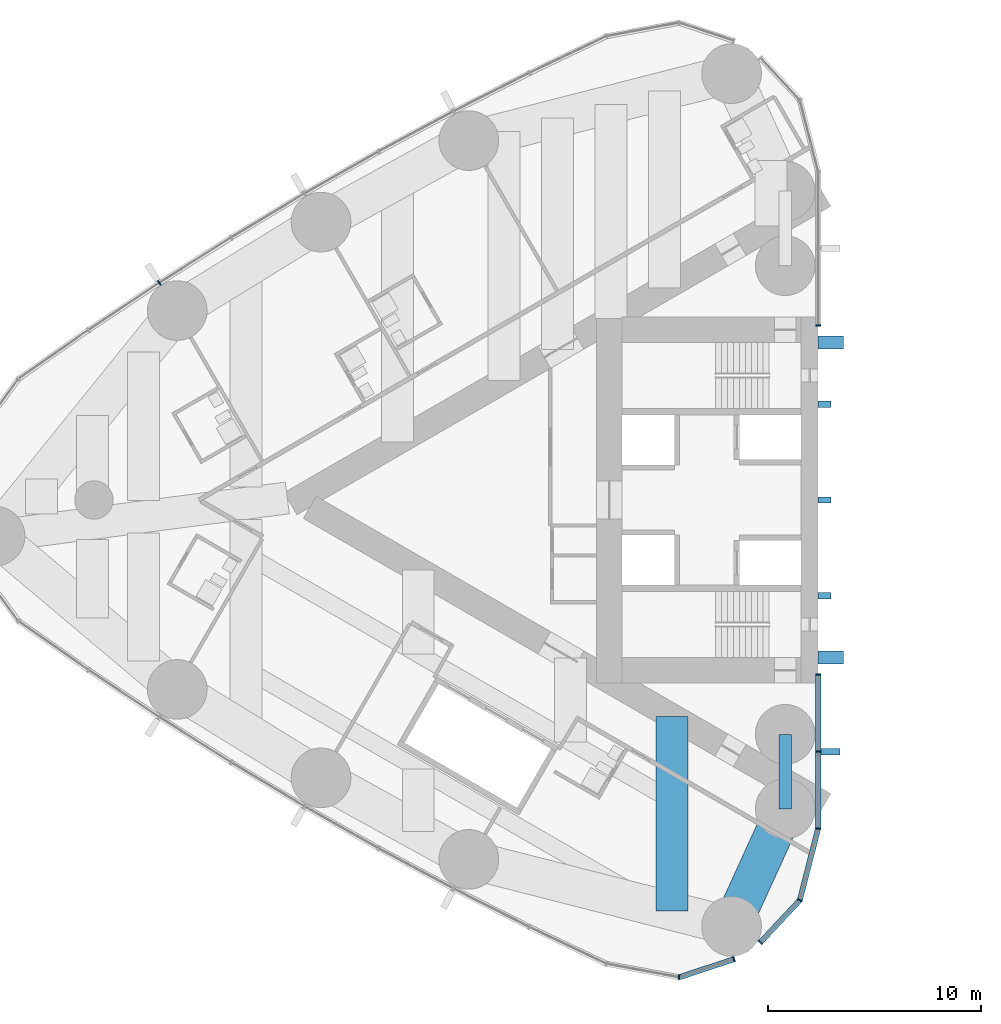
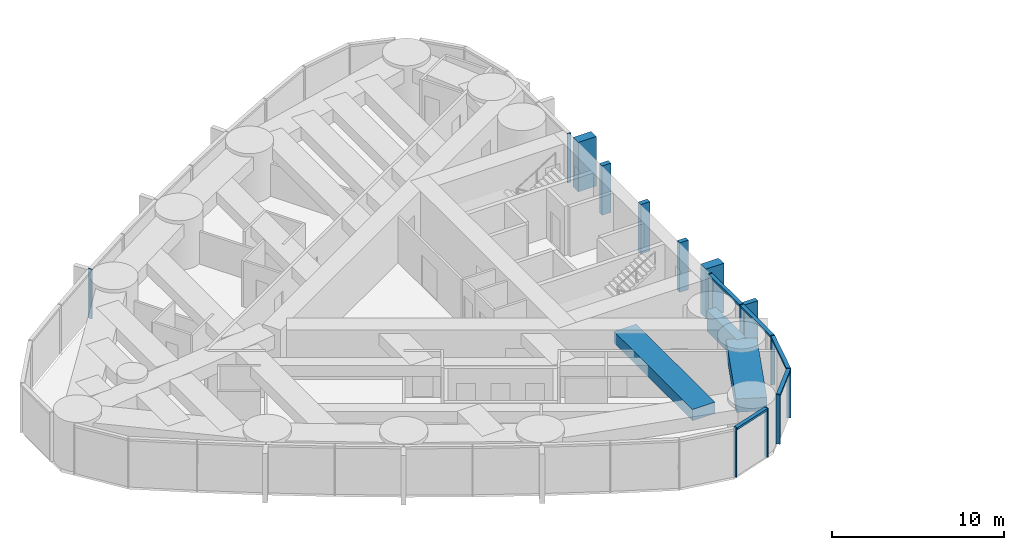
# One storey, part 4 of 19: 20 members, 3 beams, 4 elements without a shape of their own.
"""IFC4 building model written with IfcOpenShell, lengths in metres."""

import ifcopenshell
import ifcopenshell.guid

model = None  # the IFC model being written
_history = None  # IfcOwnerHistory: only IFC2X3 demands one
_inside = {}  # id of a spatial element -> (the spatial element, [elements in it])
_under = {}  # id of a project, library or spatial element -> (it, [spatial elements below it])
_declared = {}  # id of a project -> (the project, [libraries it declares])
_typed = {}  # id of a type object -> (the type object, [elements of that type])
_made_of = {}  # id of a material, layer set ... -> (it, [elements and type objects made of it])


def new_model(schema):
    """Start an empty IFC model of exactly this schema.

    Asked for "IFC4X3", IfcOpenShell would pick the latest addendum, in which some entities
    have other attributes; the version numbers below select the first issue.
    IFC2X3 requires an IfcOwnerHistory on every rooted entity: one is made here for all.
    """
    global model, _history
    if schema == "IFC4X3":
        model = ifcopenshell.file(schema_version=(4, 3, 0, 0))
    else:
        model = ifcopenshell.file(schema=schema)
    _inside.clear()
    _under.clear()
    _declared.clear()
    _typed.clear()
    _made_of.clear()
    _history = None
    if model.schema == "IFC2X3":
        org = make("IfcOrganization", Name="unknown")
        user = make(
            "IfcPersonAndOrganization",
            ThePerson=make("IfcPerson", FamilyName="unknown"),
            TheOrganization=org,
        )
        app = make(
            "IfcApplication",
            ApplicationDeveloper=org,
            Version="unknown",
            ApplicationFullName="unknown",
            ApplicationIdentifier="unknown",
        )
        _history = make(
            "IfcOwnerHistory",
            OwningUser=user,
            OwningApplication=app,
            ChangeAction="ADDED",
            CreationDate=0,
        )
    return model


def make(cls, **values):
    """One entity of the class cls with the attributes given. An attribute that is None is left unset."""
    return model.create_entity(
        cls, **{name: value for name, value in values.items() if value is not None}
    )


def rooted(cls, **values):
    """An entity with a GlobalId (a new one), such as an element, a storey or a relation."""
    return make(cls, GlobalId=ifcopenshell.guid.new(), OwnerHistory=_history, **values)


def si_unit(unit_type, name, prefix=None):
    """IfcSIUnit, for example si_unit("LENGTHUNIT", "METRE", prefix="MILLI")."""
    return make("IfcSIUnit", UnitType=unit_type, Prefix=prefix, Name=name)


def assignment(units):
    """IfcUnitAssignment: the units of a project."""
    return None if units is None else make("IfcUnitAssignment", Units=units)


def point(xyz):
    """IfcCartesianPoint."""
    return None if xyz is None else make("IfcCartesianPoint", Coordinates=xyz)


def direction(xyz):
    """IfcDirection."""
    return None if xyz is None else make("IfcDirection", DirectionRatios=xyz)


def frame(location, z_axis=None, x_axis=None):
    """IfcAxis2Placement3D, a coordinate frame: its origin and axes. An axis left out is left unset."""
    return make(
        "IfcAxis2Placement3D",
        Location=point(location),
        Axis=direction(z_axis),
        RefDirection=direction(x_axis),
    )


def frame_2d(location, x_axis=None):
    """IfcAxis2Placement2D, a coordinate frame in the plane: its origin and x axis."""
    return make(
        "IfcAxis2Placement2D", Location=point(location), RefDirection=direction(x_axis)
    )


def origin():
    """The frame at (0, 0, 0) with its axes left unset."""
    return frame((0.0, 0.0, 0.0))


def origin_2d():
    """The frame at (0, 0) in the plane with its x axis left unset."""
    return frame_2d((0.0, 0.0))


def place(relative_to, where):
    """IfcLocalPlacement: puts the frame where relative to a parent placement (None: the world)."""
    return make(
        "IfcLocalPlacement", PlacementRelTo=relative_to, RelativePlacement=where
    )


def context(
    kind, dimensions, precision=None, world=None, true_north=None, identifier=None
):
    """IfcGeometricRepresentationContext, for example the 3D "Model" context."""
    return make(
        "IfcGeometricRepresentationContext",
        ContextIdentifier=identifier,
        ContextType=kind,
        CoordinateSpaceDimension=dimensions,
        Precision=precision,
        WorldCoordinateSystem=world,
        TrueNorth=true_north,
    )


def subcontext(parent, identifier, kind, view, scale=None):
    """IfcGeometricRepresentationSubContext, for example "Body" below "Model"."""
    return make(
        "IfcGeometricRepresentationSubContext",
        ContextIdentifier=identifier,
        ContextType=kind,
        ParentContext=parent,
        TargetScale=scale,
        TargetView=view,
    )


def project(units=None, contexts=None):
    """IfcProject with its units and contexts."""
    return rooted(
        "IfcProject",
        Name="project",
        RepresentationContexts=contexts,
        UnitsInContext=assignment(units),
    )


def spatial(cls, under=None, at=None, **own):
    """A site, building, storey or space (cls), placed at a placement, below another one or the project."""
    s = rooted(cls, ObjectPlacement=at, **own)
    if under is not None:
        _under.setdefault(under.id(), (under, []))[1].append(s)
    return s


def profile(cls, at=None, kind="AREA", **sizes):
    """A parametric profile (cls). Its sizes go by their IFC names, for example OverallWidth=200.0."""
    return make(cls, ProfileType=kind, Position=at, **sizes)


def rectangle(**sizes):
    """IfcRectangleProfileDef."""
    return profile("IfcRectangleProfileDef", **sizes)


def hollow_rectangle(**sizes):
    """IfcRectangleHollowProfileDef."""
    return profile("IfcRectangleHollowProfileDef", **sizes)


def extrude(swept, where, along, depth):
    """IfcExtrudedAreaSolid: the profile swept, set in the frame where, extruded along a direction by depth."""
    return make(
        "IfcExtrudedAreaSolid",
        SweptArea=swept,
        Position=where,
        ExtrudedDirection=direction(along),
        Depth=depth,
    )


def shape(context_of_items, identifier, shape_type, items):
    """IfcShapeRepresentation: the items that make up one representation, for example the "Body"."""
    return make(
        "IfcShapeRepresentation",
        ContextOfItems=context_of_items,
        RepresentationIdentifier=identifier,
        RepresentationType=shape_type,
        Items=items,
    )


def material(Name=None, Category=None):
    """IfcMaterial."""
    return make("IfcMaterial", Name=Name, Category=Category)


def material_profile(
    of_material, cross_section, Name=None, Category=None, Priority=None
):
    """IfcMaterialProfile: a cross section and its material."""
    return make(
        "IfcMaterialProfile",
        Name=Name,
        Material=of_material,
        Profile=cross_section,
        Priority=Priority,
        Category=Category,
    )


def profile_set(profiles, Name=None, composite=None):
    """IfcMaterialProfileSet."""
    return make(
        "IfcMaterialProfileSet",
        Name=Name,
        MaterialProfiles=profiles,
        CompositeProfile=composite,
    )


def made_of(thing, what):
    """Note that an element or type object is made of a material, layer set ...; save() writes the relation."""
    if what is not None:
        _made_of.setdefault(what.id(), (what, []))[1].append(thing)
    return thing


def type_object(cls, material=None, **own):
    """A type object (cls), such as IfcWallType, which elements share."""
    return made_of(rooted(cls, **own), material)


def element(
    cls,
    number,
    at=None,
    inside=None,
    cuts=None,
    type_object=None,
    material=None,
    context=None,
    identifier="Body",
    shape_type=None,
    held_by="IfcProductDefinitionShape",
    body=None,
    shapes=None,
    **own,
):
    """One element of the class cls, such as IfcWall. Its Tag is "e" and its number.

    at: its placement. inside: the storey or other place that contains it. cuts: it is an
    opening in that element (IfcRelVoidsElement). A single representation is given by context,
    identifier, shape_type and body (its items); several are given by shapes. held_by: the class
    of the entity that holds the representations. save() writes the other relations.
    """
    e = rooted(cls, Tag="e%d" % number, ObjectPlacement=at, **own)
    if body is not None:
        shapes = [shape(context, identifier, shape_type, body)]
    if shapes is not None:
        e.Representation = make(held_by, Representations=shapes)
    if inside is not None:
        _inside.setdefault(inside.id(), (inside, []))[1].append(e)
    if cuts is not None:
        rooted(
            "IfcRelVoidsElement", RelatingBuildingElement=cuts, RelatedOpeningElement=e
        )
    if type_object is not None:
        _typed.setdefault(type_object.id(), (type_object, []))[1].append(e)
    return made_of(e, material)


def aggregate(whole, parts):
    """IfcRelAggregates: a whole, such as a stair, and the parts it consists of."""
    return rooted("IfcRelAggregates", RelatingObject=whole, RelatedObjects=parts)


def save(model, path):
    """Write the relations noted so far, then the file.

    IfcRelAggregates (storeys below a building ...), IfcRelContainedInSpatialStructure (elements
    in a storey), IfcRelDefinesByType, IfcRelAssociatesMaterial and IfcRelDeclares: one each for
    every whole, place, type object, material and project.
    """
    for whole, parts in _under.values():
        aggregate(whole, parts)
    for where, things in _inside.values():
        rooted(
            "IfcRelContainedInSpatialStructure",
            RelatedElements=things,
            RelatingStructure=where,
        )
    for kind, things in _typed.values():
        rooted("IfcRelDefinesByType", RelatedObjects=things, RelatingType=kind)
    for what, things in _made_of.values():
        rooted("IfcRelAssociatesMaterial", RelatedObjects=things, RelatingMaterial=what)
    for by, libraries in _declared.values():
        rooted("IfcRelDeclares", RelatingContext=by, RelatedDefinitions=libraries)
    model.write(path)


model = new_model("IFC4")

# Units and contexts
model_context = context("Model", 3, precision=1e-05, world=origin(), true_north=direction((0.0, 1.0)))
body_context = subcontext(model_context, "Body", "Model", "MODEL_VIEW")
ifc_project = project(units=[si_unit("LENGTHUNIT", "METRE"), si_unit("AREAUNIT", "SQUARE_METRE"), si_unit("VOLUMEUNIT", "CUBIC_METRE"), si_unit("PLANEANGLEUNIT", "RADIAN"), si_unit("MASSUNIT", "GRAM", prefix="KILO")], contexts=[model_context])

# Site, building, storey
site_placement = place(None, origin())
site = spatial("IfcSite", under=ifc_project, at=site_placement, CompositionType="ELEMENT")
building_placement = place(site_placement, origin())
building = spatial("IfcBuilding", under=site, at=building_placement, Name="Lancet Gate Hotel", CompositionType="ELEMENT")
storey_placement = place(building_placement, frame((0.0, 0.0, 170.300048828125)))
storey = spatial("IfcBuildingStorey", under=building, at=storey_placement, Name="L45", CompositionType="ELEMENT", Elevation=170.300048828125)

# Curtain wall, member
ifc_material_1 = material(Name="Aluminium curtain wall", Category="aluminium")
curtain_wall_type = type_object("IfcCurtainWallType", Name="Tower unitised curtain wall", PredefinedType="USERDEFINED", material=ifc_material_1)
curtain_wall_1_placement = place(storey_placement, origin())
curtain_wall_1 = element("IfcCurtainWall", 1, at=curtain_wall_1_placement, inside=storey, type_object=curtain_wall_type, Name="T1 L45 curtain wall 1", ObjectType="UNITISED CURTAIN WALL", PredefinedType="USERDEFINED")
ifc_material_2 = material(Name="Aluminium mullion", Category="aluminium")
ifc_material_profile_1 = material_profile(ifc_material_2, rectangle(XDim=0.06494140625, YDim=0.25, at=origin_2d()), Name="MULLION 65x250")
ifc_profile_set_1 = profile_set([ifc_material_profile_1], Name="Aluminium mullion")
member_type_1 = type_object("IfcMemberType", Name="Aluminium mullion 65x250", PredefinedType="MULLION", material=ifc_profile_set_1)
member_1_placement = place(storey_placement, frame((-27.5, 8.199951171875, 0.0), z_axis=(0.0, 0.0, 1.0), x_axis=(0.0, 1.0, 0.0)))
member_1 = element("IfcMember", 2, at=member_1_placement, type_object=member_type_1, Name="T1 L45 curtain wall 1 mullion 1", PredefinedType="MULLION", context=body_context, shape_type="SweptSolid", body=[
    extrude(rectangle(XDim=0.06494140625, YDim=0.25, at=origin_2d()), origin(), (0.0, 0.0, 1.0), 3.5),
])
aggregate(curtain_wall_1, [member_1])

curtain_wall_2_placement = place(storey_placement, origin())
curtain_wall_2 = element("IfcCurtainWall", 3, at=curtain_wall_2_placement, inside=storey, type_object=curtain_wall_type, Name="T1 L45 curtain wall 2", ObjectType="UNITISED CURTAIN WALL", PredefinedType="USERDEFINED")
member_2_placement = place(storey_placement, frame((-58.43212890625, 10.194091796875, 0.0), z_axis=(0.0, 0.0, 1.0), x_axis=(-0.839331119324, -0.54362052218, 0.0)))
member_2 = element("IfcMember", 4, at=member_2_placement, type_object=member_type_1, Name="T1 L45 curtain wall 2 mullion 9", PredefinedType="MULLION", context=body_context, shape_type="SweptSolid", body=[
    extrude(rectangle(XDim=0.06494140625, YDim=0.25, at=origin_2d()), origin(), (0.0, 0.0, 1.0), 3.5),
])
aggregate(curtain_wall_2, [member_2])

# Curtain wall, members
curtain_wall_3_placement = place(storey_placement, origin())
curtain_wall_3 = element("IfcCurtainWall", 5, at=curtain_wall_3_placement, inside=storey, type_object=curtain_wall_type, Name="T1 L45 curtain wall 3", ObjectType="UNITISED CURTAIN WALL", PredefinedType="USERDEFINED")
member_3_placement = place(storey_placement, frame((-34.02783203125, -22.407470703125, 0.0), z_axis=(0.0, 0.0, 1.0), x_axis=(0.999350473622, 0.036036521361, 0.0)))
member_3 = element("IfcMember", 6, at=member_3_placement, type_object=member_type_1, Name="T1 L45 curtain wall 3 mullion 11", PredefinedType="MULLION", context=body_context, shape_type="SweptSolid", body=[
    extrude(rectangle(XDim=0.06494140625, YDim=0.25, at=origin_2d()), origin(), (0.0, 0.0, 1.0), 3.5),
])
member_4_placement = place(storey_placement, frame((-31.45263671875, -21.5595703125, 0.0), z_axis=(0.0, 0.0, 1.0), x_axis=(0.949848055084, 0.312711803827, 0.0)))
member_4 = element("IfcMember", 7, at=member_4_placement, type_object=member_type_1, Name="T1 L45 curtain wall 3 mullion 12", PredefinedType="MULLION", context=body_context, shape_type="SweptSolid", body=[
    extrude(rectangle(XDim=0.06494140625, YDim=0.25, at=origin_2d()), origin(), (0.0, 0.0, 1.0), 3.5),
])

curtain_wall_4_placement = place(storey_placement, origin())
curtain_wall_4 = element("IfcCurtainWall", 8, at=curtain_wall_4_placement, inside=storey, type_object=curtain_wall_type, Name="T1 L45 curtain wall 4", ObjectType="UNITISED CURTAIN WALL", PredefinedType="USERDEFINED")
member_5_placement = place(storey_placement, frame((-30.210693359375, -20.765625, 0.0), z_axis=(0.0, 0.0, 1.0), x_axis=(0.682844962172, 0.730563315282, 0.0)))
member_5 = element("IfcMember", 9, at=member_5_placement, type_object=member_type_1, Name="T1 L45 curtain wall 4 mullion 1", PredefinedType="MULLION", context=body_context, shape_type="SweptSolid", body=[
    extrude(rectangle(XDim=0.06494140625, YDim=0.25, at=origin_2d()), origin(), (0.0, 0.0, 1.0), 3.5),
])
member_6_placement = place(storey_placement, frame((-28.360595703125, -18.7861328125, 0.0), z_axis=(0.0, 0.0, 1.0), x_axis=(0.452507601198, 0.891760545695, 0.0)))
member_6 = element("IfcMember", 10, at=member_6_placement, type_object=member_type_1, Name="T1 L45 curtain wall 4 mullion 2", PredefinedType="MULLION", context=body_context, shape_type="SweptSolid", body=[
    extrude(rectangle(XDim=0.06494140625, YDim=0.25, at=origin_2d()), origin(), (0.0, 0.0, 1.0), 3.5),
])
member_7_placement = place(storey_placement, frame((-27.5, -15.42333984375, 0.0), z_axis=(0.0, 0.0, 1.0), x_axis=(0.122467472845, 0.992472527627, 0.0)))
member_7 = element("IfcMember", 11, at=member_7_placement, type_object=member_type_1, Name="T1 L45 curtain wall 4 mullion 3", PredefinedType="MULLION", context=body_context, shape_type="SweptSolid", body=[
    extrude(rectangle(XDim=0.06494140625, YDim=0.25, at=origin_2d()), origin(), (0.0, 0.0, 1.0), 3.5),
])
member_8_placement = place(storey_placement, frame((-27.5, -11.811767578125, 0.0), z_axis=(0.0, 0.0, 1.0), x_axis=(0.0, 1.0, 0.0)))
member_8 = element("IfcMember", 12, at=member_8_placement, type_object=member_type_1, Name="T1 L45 curtain wall 4 mullion 4", PredefinedType="MULLION", context=body_context, shape_type="SweptSolid", body=[
    extrude(rectangle(XDim=0.06494140625, YDim=0.25, at=origin_2d()), origin(), (0.0, 0.0, 1.0), 3.5),
])
member_9_placement = place(storey_placement, frame((-27.5, -8.199951171875, 0.0), z_axis=(0.0, 0.0, 1.0), x_axis=(0.0, 1.0, 0.0)))
member_9 = element("IfcMember", 13, at=member_9_placement, type_object=member_type_1, Name="T1 L45 curtain wall 4 mullion 5", PredefinedType="MULLION", context=body_context, shape_type="SweptSolid", body=[
    extrude(rectangle(XDim=0.06494140625, YDim=0.25, at=origin_2d()), origin(), (0.0, 0.0, 1.0), 3.5),
])

# Member
ifc_material_3 = material(Name="Aluminium transom", Category="aluminium")
ifc_material_profile_2 = material_profile(ifc_material_3, rectangle(XDim=0.25, YDim=0.14990234375, at=origin_2d()), Name="TRANSOM 250x150")
ifc_profile_set_2 = profile_set([ifc_material_profile_2], Name="Aluminium transom")
member_type_2 = type_object("IfcMemberType", Name="Aluminium transom 250x150", PredefinedType="USERDEFINED", material=ifc_profile_set_2)
member_10_placement = place(storey_placement, frame((-33.9970703125, -22.397216796875, 3.425048828125), z_axis=(0.949857661259, 0.312682623993, 0.0), x_axis=(-0.312682623993, 0.949857661259, 0.0)))
member_10 = element("IfcMember", 14, at=member_10_placement, type_object=member_type_2, Name="T1 L45 curtain wall 3 transom 11", ObjectType="TRANSOM", PredefinedType="USERDEFINED", context=body_context, shape_type="SweptSolid", body=[
    extrude(rectangle(XDim=0.25, YDim=0.14990234375, at=origin_2d()), origin(), (0.0, 0.0, 1.0), 2.64599609375),
])

aggregate(curtain_wall_3, [member_3, member_4, member_10])

member_11_placement = place(storey_placement, frame((-30.188720703125, -20.741943359375, 3.425048828125), z_axis=(0.682841037959, 0.730566983157, 0.0), x_axis=(-0.730566983157, 0.682841037959, 0.0)))
member_11 = element("IfcMember", 15, at=member_11_placement, type_object=member_type_2, Name="T1 L45 curtain wall 4 transom 1", ObjectType="TRANSOM", PredefinedType="USERDEFINED", context=body_context, shape_type="SweptSolid", body=[
    extrude(rectangle(XDim=0.25, YDim=0.14990234375, at=origin_2d()), origin(), (0.0, 0.0, 1.0), 2.644775390625),
])

member_12_placement = place(storey_placement, frame((-28.3525390625, -18.754638671875, 3.425048828125), z_axis=(0.247928683912, 0.968778286139, 0.0), x_axis=(-0.968778286139, 0.247928683912, 0.0)))
member_12 = element("IfcMember", 16, at=member_12_placement, type_object=member_type_2, Name="T1 L45 curtain wall 4 transom 2", ObjectType="TRANSOM", PredefinedType="USERDEFINED", context=body_context, shape_type="SweptSolid", body=[
    extrude(rectangle(XDim=0.25, YDim=0.14990234375, at=origin_2d()), origin(), (0.0, 0.0, 1.0), 3.40625),
])

member_13_placement = place(storey_placement, frame((-27.5, -15.390869140625, 3.425048828125), z_axis=(0.0, 1.0, 0.0), x_axis=(-1.0, 0.0, 0.0)))
member_13 = element("IfcMember", 17, at=member_13_placement, type_object=member_type_2, Name="T1 L45 curtain wall 4 transom 3", ObjectType="TRANSOM", PredefinedType="USERDEFINED", context=body_context, shape_type="SweptSolid", body=[
    extrude(rectangle(XDim=0.25, YDim=0.14990234375, at=origin_2d()), origin(), (0.0, 0.0, 1.0), 3.546630859375),
])

member_14_placement = place(storey_placement, frame((-27.5, -11.779296875, 3.425048828125), z_axis=(0.0, 1.0, 0.0), x_axis=(-1.0, 0.0, 0.0)))
member_14 = element("IfcMember", 18, at=member_14_placement, type_object=member_type_2, Name="T1 L45 curtain wall 4 transom 4", ObjectType="TRANSOM", PredefinedType="USERDEFINED", context=body_context, shape_type="SweptSolid", body=[
    extrude(rectangle(XDim=0.25, YDim=0.14990234375, at=origin_2d()), origin(), (0.0, 0.0, 1.0), 3.546875),
])

# Beam
ifc_material_4 = material(Name="Concrete C50/60", Category="concrete")
ifc_material_profile_3 = material_profile(ifc_material_4, rectangle(XDim=1.800048828125, YDim=0.949951171875, at=origin_2d()), Name="RC 1800x950")
ifc_profile_set_3 = profile_set([ifc_material_profile_3], Name="Concrete C50/60")
beam_type_1 = type_object("IfcBeamType", Name="Edge beam RC 1800x950", PredefinedType="SPANDREL", material=ifc_profile_set_3)
beam_1_placement = place(storey_placement, frame((-29.050048828125, -14.5, 2.77490234375), z_axis=(-0.414919206993, -0.909858259109, 0.0), x_axis=(0.909858259109, -0.414919206993, 0.0)))
element("IfcBeam", 19, at=beam_1_placement, inside=storey, type_object=beam_type_1, Name="T1 edge beam EB1 L45", PredefinedType="SPANDREL", context=body_context, shape_type="SweptSolid", body=[
    extrude(rectangle(XDim=1.800048828125, YDim=0.949951171875, at=origin_2d()), origin(), (0.0, 0.0, 1.0), 6.062255859375),
])

# Members
ifc_material_5 = material(Name="Concrete C60/75", Category="concrete")
ifc_material_profile_4 = material_profile(ifc_material_5, rectangle(XDim=0.60009765625, YDim=1.199951171875, at=origin_2d()), Name="FIN 600x1200")
ifc_profile_set_4 = profile_set([ifc_material_profile_4], Name="Concrete C60/75")
member_type_3 = type_object("IfcMemberType", Name="Exposed concrete buttress pilaster 600x1200", PredefinedType="USERDEFINED", material=ifc_profile_set_4)
for number, where, z_axis, x_axis, name in (
    (20, (-26.909912109375, 7.39990234375, 0.0), (0.0, 0.0, 1.0), (0.0, 1.0, 0.0), "T1 buttress pilaster S L45"),
    (21, (-26.909912109375, -7.39990234375, 0.0), (0.0, 0.0, 1.0), (0.0, 1.0, 0.0), "T1 buttress pilaster N L45"),
):
    element("IfcMember", number, at=place(storey_placement, frame(where, z_axis=z_axis, x_axis=x_axis)), inside=storey, type_object=member_type_3, Name=name, ObjectType="FIN", PredefinedType="USERDEFINED", context=body_context, shape_type="SweptSolid", body=[
        extrude(rectangle(XDim=0.60009765625, YDim=1.199951171875, at=origin_2d()), origin(), (0.0, 0.0, 1.0), 3.5),
    ])

# Member
ifc_material_6 = material(Name="Precast concrete C50/60", Category="concrete")
ifc_material_profile_5 = material_profile(ifc_material_6, rectangle(XDim=0.300048828125, YDim=0.89990234375, at=origin_2d()), Name="FIN 300x900")
ifc_profile_set_5 = profile_set([ifc_material_profile_5], Name="Precast concrete C50/60")
member_type_4 = type_object("IfcMemberType", Name="Exposed concrete fin 300x900", PredefinedType="USERDEFINED", material=ifc_profile_set_5)
member_15_placement = place(storey_placement, frame((-26.925048828125, -11.811767578125, 0.0), z_axis=(0.0, 0.0, 1.0), x_axis=(0.0, 1.0, 0.0)))
member_15 = element("IfcMember", 22, at=member_15_placement, type_object=member_type_4, Name="T1 L45 curtain wall 4 fin 4", ObjectType="FIN", PredefinedType="USERDEFINED", context=body_context, shape_type="SweptSolid", body=[
    extrude(rectangle(XDim=0.300048828125, YDim=0.89990234375, at=origin_2d()), origin(), (0.0, 0.0, 1.0), 3.5),
])

aggregate(curtain_wall_4, [member_5, member_6, member_7, member_8, member_15, member_9, member_11, member_12, member_13, member_14])

# Members
ifc_material_7 = material(Name="Concrete C60/75", Category="concrete")
ifc_material_profile_6 = material_profile(ifc_material_7, rectangle(XDim=0.300048828125, YDim=0.60009765625, at=origin_2d()), Name="FIN 300x600")
ifc_profile_set_6 = profile_set([ifc_material_profile_6], Name="Concrete C60/75")
member_type_5 = type_object("IfcMemberType", Name="Exposed concrete rib 300x600", PredefinedType="USERDEFINED", material=ifc_profile_set_6)
for number, where, z_axis, x_axis, name in (
    (23, (-27.2099609375, 4.5, 0.0), (0.0, 0.0, 1.0), (0.0, 1.0, 0.0), "T1 core rib 1 L45"),
    (24, (-27.2099609375, 0.0, 0.0), (0.0, 0.0, 1.0), (0.0, 1.0, 0.0), "T1 core rib 2 L45"),
    (25, (-27.2099609375, -4.5, 0.0), (0.0, 0.0, 1.0), (0.0, 1.0, 0.0), "T1 core rib 3 L45"),
):
    element("IfcMember", number, at=place(storey_placement, frame(where, z_axis=z_axis, x_axis=x_axis)), inside=storey, type_object=member_type_5, Name=name, ObjectType="FIN", PredefinedType="USERDEFINED", context=body_context, shape_type="SweptSolid", body=[
        extrude(rectangle(XDim=0.300048828125, YDim=0.60009765625, at=origin_2d()), origin(), (0.0, 0.0, 1.0), 3.5),
    ])

# Beams
ifc_material_8 = material(Name="Concrete C50/60", Category="concrete")
ifc_material_profile_7 = material_profile(ifc_material_8, rectangle(XDim=1.5, YDim=0.800048828125, at=origin_2d()), Name="RC 1500x800")
ifc_profile_set_7 = profile_set([ifc_material_profile_7], Name="Concrete C50/60")
beam_type_2 = type_object("IfcBeamType", Name="Floor beam RC 1500x800", PredefinedType="BEAM", material=ifc_profile_set_7)
beam_2_placement = place(storey_placement, frame((-34.353515625, -10.169921875, 2.849853515625), z_axis=(0.0, -1.0, 0.0), x_axis=(1.0, 0.0, 0.0)))
element("IfcBeam", 26, at=beam_2_placement, inside=storey, type_object=beam_type_2, Name="T1 floor beam F02N L45", PredefinedType="BEAM", context=body_context, shape_type="SweptSolid", body=[
    extrude(rectangle(XDim=1.5, YDim=0.800048828125, at=origin_2d()), origin(), (0.0, 0.0, 1.0), 9.13525390625),
])
ifc_material_9 = material(Name="Steel S460QL", Category="steel")
ifc_material_profile_8 = material_profile(ifc_material_9, hollow_rectangle(XDim=0.60009765625, YDim=1.5, WallThickness=0.050048828125, at=origin_2d()), Name="BOX 1500x600x50")
ifc_profile_set_8 = profile_set([ifc_material_profile_8], Name="Steel S460QL")
beam_type_3 = type_object("IfcBeamType", Name="Inner-face link beam BOX 1500x600x50", PredefinedType="BEAM", material=ifc_profile_set_8)
beam_3_placement = place(storey_placement, frame((-29.050048828125, -11.0, 2.5), z_axis=(0.0, -1.0, 0.0), x_axis=(1.0, 0.0, 0.0)))
element("IfcBeam", 27, at=beam_3_placement, inside=storey, type_object=beam_type_3, Name="T1 inner-face link beam LK1 L45", PredefinedType="BEAM", context=body_context, shape_type="SweptSolid", body=[
    extrude(hollow_rectangle(XDim=0.60009765625, YDim=1.5, WallThickness=0.050048828125, at=origin_2d()), origin(), (0.0, 0.0, 1.0), 3.5),
])

save(model, "model.ifc")
